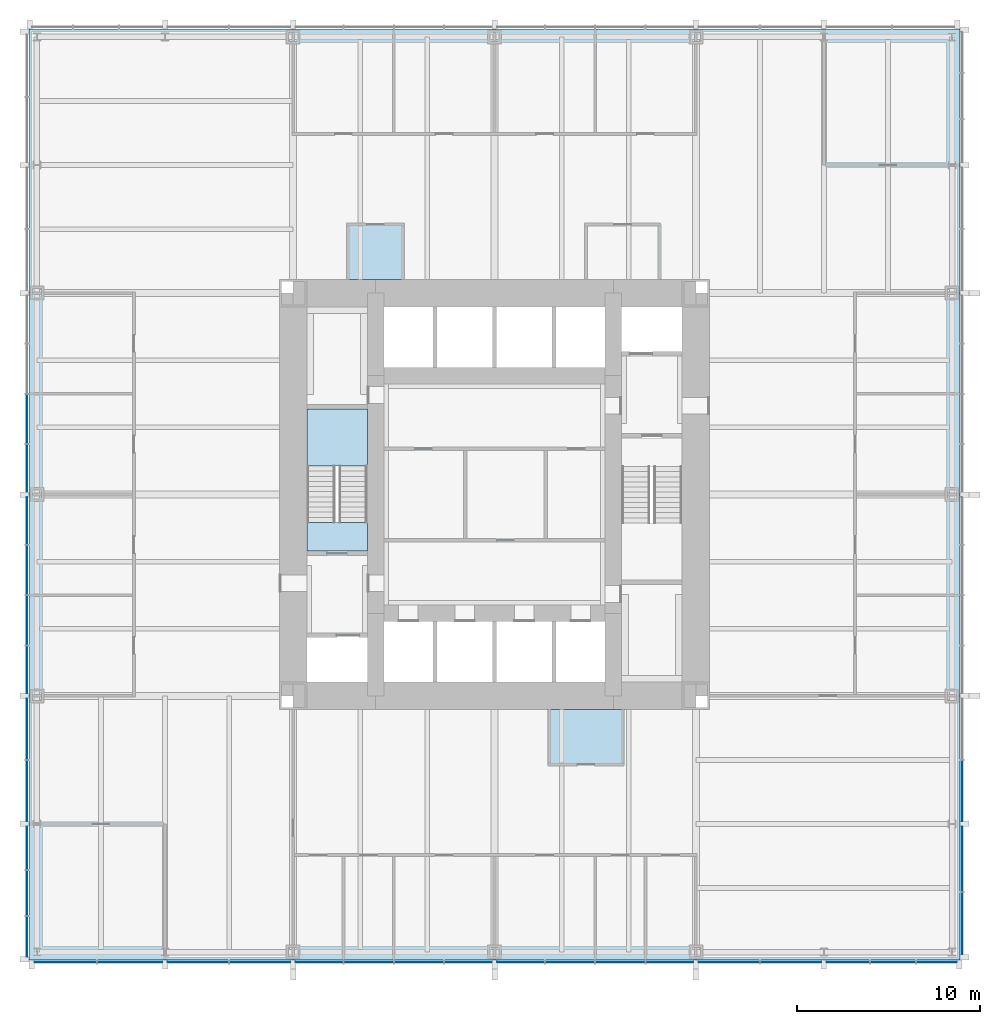
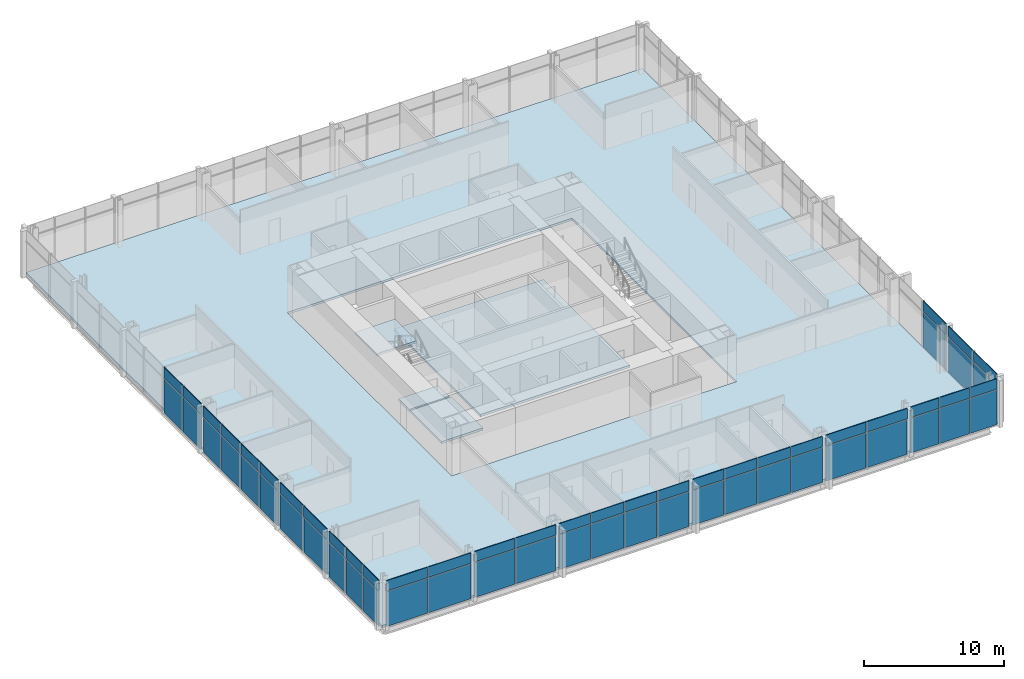
# One storey, part 7 of 12: 62 plates, 5 slabs, 4 elements without a shape of their own.
"""IFC4 building model written with IfcOpenShell, lengths in metres."""

from ifc_helpers import new_model, si_unit, direction, frame, origin, origin_2d, place, context, subcontext, project, spatial, polyline, rectangle, outline, extrude, material, layer, layer_set, type_object, element, aggregate, save


model = new_model("IFC4")

# Units and contexts
model_context = context("Model", 3, precision=1e-05, world=origin(), true_north=direction((0.0, 1.0)))
body_context = subcontext(model_context, "Body", "Model", "MODEL_VIEW")
ifc_project = project(units=[si_unit("LENGTHUNIT", "METRE"), si_unit("AREAUNIT", "SQUARE_METRE"), si_unit("VOLUMEUNIT", "CUBIC_METRE"), si_unit("PLANEANGLEUNIT", "RADIAN"), si_unit("MASSUNIT", "GRAM", prefix="KILO")], contexts=[model_context])

# Site, building, storey
site_placement = place(None, origin())
site = spatial("IfcSite", under=ifc_project, at=site_placement, CompositionType="ELEMENT")
building_placement = place(site_placement, origin())
building = spatial("IfcBuilding", under=site, at=building_placement, Name="Trevanion Tower", CompositionType="ELEMENT")
storey_placement = place(building_placement, frame((0.0, 0.0, 77.5)))
storey = spatial("IfcBuildingStorey", under=building, at=storey_placement, Name="L18", CompositionType="ELEMENT", Elevation=77.5)

# Curtain wall, plates
ifc_material_1 = material(Name="Aluminium and glass", Category="aluminium")
curtain_wall_type = type_object("IfcCurtainWallType", Name="CW1 curtain wall", PredefinedType="USERDEFINED", material=ifc_material_1)
curtain_wall_1_placement = place(storey_placement, origin())
curtain_wall_1 = element("IfcCurtainWall", 1, at=curtain_wall_1_placement, inside=storey, type_object=curtain_wall_type, Name="CW1 L18 0", ObjectType="UNITISED CURTAIN WALL", PredefinedType="USERDEFINED")
ifc_material_2 = material(Name="Aluminium spandrel panel", Category="aluminium")
ifc_layer_1 = layer(ifc_material_2, 0.06005859375)
ifc_layer_set_1 = layer_set([ifc_layer_1], Name="CW1 spandrel panel")
plate_type_1 = type_object("IfcPlateType", Name="CW1 spandrel panel", PredefinedType="CURTAIN_PANEL", material=ifc_layer_set_1)
plate_1_placement = place(storey_placement, frame((25.550048828125, -23.433837890625, 2.997314453125), z_axis=(0.0, 0.0, 1.0), x_axis=(0.0, 1.0, 0.0)))
plate_1 = element("IfcPlate", 2, at=plate_1_placement, type_object=plate_type_1, Name="CW1 panel 1.2", PredefinedType="CURTAIN_PANEL", context=body_context, shape_type="SweptSolid", body=[
    extrude(rectangle(XDim=3.37255859375, YDim=0.06005859375, at=origin_2d()), origin(), (0.0, 0.0, 1.0), 0.91259765625),
])
plate_2_placement = place(storey_placement, frame((25.550048828125, -19.911376953125, 2.997314453125), z_axis=(0.0, 0.0, 1.0), x_axis=(0.0, 1.0, 0.0)))
plate_2 = element("IfcPlate", 3, at=plate_2_placement, type_object=plate_type_1, Name="CW1 panel 2.2", PredefinedType="CURTAIN_PANEL", context=body_context, shape_type="SweptSolid", body=[
    extrude(rectangle(XDim=3.5224609375, YDim=0.06005859375, at=origin_2d()), origin(), (0.0, 0.0, 1.0), 0.91259765625),
])
plate_3_placement = place(storey_placement, frame((25.550048828125, -16.19384765625, 2.997314453125), z_axis=(0.0, 0.0, 1.0), x_axis=(0.0, 1.0, 0.0)))
plate_3 = element("IfcPlate", 4, at=plate_3_placement, type_object=plate_type_1, Name="CW1 panel 3.2", PredefinedType="CURTAIN_PANEL", context=body_context, shape_type="SweptSolid", body=[
    extrude(rectangle(XDim=3.3125, YDim=0.06005859375, at=origin_2d()), origin(), (0.0, 0.0, 1.0), 0.91259765625),
])

curtain_wall_2_placement = place(storey_placement, origin())
curtain_wall_2 = element("IfcCurtainWall", 5, at=curtain_wall_2_placement, inside=storey, type_object=curtain_wall_type, Name="CW1 L18 2", ObjectType="UNITISED CURTAIN WALL", PredefinedType="USERDEFINED")
plate_4_placement = place(storey_placement, frame((-25.550048828125, 4.125, 2.997314453125), z_axis=(0.0, 0.0, 1.0), x_axis=(0.0, -1.0, 0.0)))
plate_4 = element("IfcPlate", 6, at=plate_4_placement, type_object=plate_type_1, Name="CW1 panel 7.2", PredefinedType="CURTAIN_PANEL", context=body_context, shape_type="SweptSolid", body=[
    extrude(rectangle(XDim=2.675048828125, YDim=0.06005859375, at=origin_2d()), origin(), (0.0, 0.0, 1.0), 0.91259765625),
])
plate_5_placement = place(storey_placement, frame((-25.550048828125, 1.43115234375, 2.997314453125), z_axis=(0.0, 0.0, 1.0), x_axis=(0.0, -1.0, 0.0)))
plate_5 = element("IfcPlate", 7, at=plate_5_placement, type_object=plate_type_1, Name="CW1 panel 8.2", PredefinedType="CURTAIN_PANEL", context=body_context, shape_type="SweptSolid", body=[
    extrude(rectangle(XDim=2.5625, YDim=0.06005859375, at=origin_2d()), origin(), (0.0, 0.0, 1.0), 0.91259765625),
])
plate_6_placement = place(storey_placement, frame((-25.550048828125, -1.43115234375, 2.997314453125), z_axis=(0.0, 0.0, 1.0), x_axis=(0.0, -1.0, 0.0)))
plate_6 = element("IfcPlate", 8, at=plate_6_placement, type_object=plate_type_1, Name="CW1 panel 9.2", PredefinedType="CURTAIN_PANEL", context=body_context, shape_type="SweptSolid", body=[
    extrude(rectangle(XDim=2.5625, YDim=0.06005859375, at=origin_2d()), origin(), (0.0, 0.0, 1.0), 0.91259765625),
])
plate_7_placement = place(storey_placement, frame((-25.550048828125, -4.125, 2.997314453125), z_axis=(0.0, 0.0, 1.0), x_axis=(0.0, -1.0, 0.0)))
plate_7 = element("IfcPlate", 9, at=plate_7_placement, type_object=plate_type_1, Name="CW1 panel 10.2", PredefinedType="CURTAIN_PANEL", context=body_context, shape_type="SweptSolid", body=[
    extrude(rectangle(XDim=2.675048828125, YDim=0.06005859375, at=origin_2d()), origin(), (0.0, 0.0, 1.0), 0.91259765625),
])
plate_8_placement = place(storey_placement, frame((-25.550048828125, -6.875, 2.997314453125), z_axis=(0.0, 0.0, 1.0), x_axis=(0.0, -1.0, 0.0)))
plate_8 = element("IfcPlate", 10, at=plate_8_placement, type_object=plate_type_1, Name="CW1 panel 11.2", PredefinedType="CURTAIN_PANEL", context=body_context, shape_type="SweptSolid", body=[
    extrude(rectangle(XDim=2.675048828125, YDim=0.06005859375, at=origin_2d()), origin(), (0.0, 0.0, 1.0), 0.91259765625),
])
plate_9_placement = place(storey_placement, frame((-25.550048828125, -9.56884765625, 2.997314453125), z_axis=(0.0, 0.0, 1.0), x_axis=(0.0, -1.0, 0.0)))
plate_9 = element("IfcPlate", 11, at=plate_9_placement, type_object=plate_type_1, Name="CW1 panel 12.2", PredefinedType="CURTAIN_PANEL", context=body_context, shape_type="SweptSolid", body=[
    extrude(rectangle(XDim=2.5625, YDim=0.06005859375, at=origin_2d()), origin(), (0.0, 0.0, 1.0), 0.91259765625),
])
plate_10_placement = place(storey_placement, frame((-25.550048828125, -12.80615234375, 2.997314453125), z_axis=(0.0, 0.0, 1.0), x_axis=(0.0, -1.0, 0.0)))
plate_10 = element("IfcPlate", 12, at=plate_10_placement, type_object=plate_type_1, Name="CW1 panel 13.2", PredefinedType="CURTAIN_PANEL", context=body_context, shape_type="SweptSolid", body=[
    extrude(rectangle(XDim=3.3125, YDim=0.06005859375, at=origin_2d()), origin(), (0.0, 0.0, 1.0), 0.91259765625),
])
plate_11_placement = place(storey_placement, frame((-25.550048828125, -16.19384765625, 2.997314453125), z_axis=(0.0, 0.0, 1.0), x_axis=(0.0, -1.0, 0.0)))
plate_11 = element("IfcPlate", 13, at=plate_11_placement, type_object=plate_type_1, Name="CW1 panel 14.2", PredefinedType="CURTAIN_PANEL", context=body_context, shape_type="SweptSolid", body=[
    extrude(rectangle(XDim=3.3125, YDim=0.06005859375, at=origin_2d()), origin(), (0.0, 0.0, 1.0), 0.91259765625),
])
plate_12_placement = place(storey_placement, frame((-25.550048828125, -19.314697265625, 2.997314453125), z_axis=(0.0, 0.0, 1.0), x_axis=(0.0, -1.0, 0.0)))
plate_12 = element("IfcPlate", 14, at=plate_12_placement, type_object=plate_type_1, Name="CW1 panel 15.2", PredefinedType="CURTAIN_PANEL", context=body_context, shape_type="SweptSolid", body=[
    extrude(rectangle(XDim=2.3291015625, YDim=0.06005859375, at=origin_2d()), origin(), (0.0, 0.0, 1.0), 0.91259765625),
])
plate_13_placement = place(storey_placement, frame((-25.550048828125, -21.77490234375, 2.997314453125), z_axis=(0.0, 0.0, 1.0), x_axis=(0.0, -1.0, 0.0)))
plate_13 = element("IfcPlate", 15, at=plate_13_placement, type_object=plate_type_1, Name="CW1 panel 16.2", PredefinedType="CURTAIN_PANEL", context=body_context, shape_type="SweptSolid", body=[
    extrude(rectangle(XDim=2.441650390625, YDim=0.06005859375, at=origin_2d()), origin(), (0.0, 0.0, 1.0), 0.91259765625),
])
plate_14_placement = place(storey_placement, frame((-25.550048828125, -24.160400390625, 2.997314453125), z_axis=(0.0, 0.0, 1.0), x_axis=(0.0, -1.0, 0.0)))
plate_14 = element("IfcPlate", 16, at=plate_14_placement, type_object=plate_type_1, Name="CW1 panel 17.2", PredefinedType="CURTAIN_PANEL", context=body_context, shape_type="SweptSolid", body=[
    extrude(rectangle(XDim=2.17919921875, YDim=0.06005859375, at=origin_2d()), origin(), (0.0, 0.0, 1.0), 0.91259765625),
])

curtain_wall_3_placement = place(storey_placement, origin())
curtain_wall_3 = element("IfcCurtainWall", 17, at=curtain_wall_3_placement, inside=storey, type_object=curtain_wall_type, Name="CW1 L18 3", ObjectType="UNITISED CURTAIN WALL", PredefinedType="USERDEFINED")
plate_15_placement = place(storey_placement, frame((-23.433837890625, -25.550048828125, 2.997314453125), z_axis=(0.0, 0.0, 1.0), x_axis=(1.0, 0.0, 0.0)))
plate_15 = element("IfcPlate", 18, at=plate_15_placement, type_object=plate_type_1, Name="CW1 panel 1.2", PredefinedType="CURTAIN_PANEL", context=body_context, shape_type="SweptSolid", body=[
    extrude(rectangle(XDim=3.37255859375, YDim=0.06005859375, at=origin_2d()), origin(), (0.0, 0.0, 1.0), 0.91259765625),
])
plate_16_placement = place(storey_placement, frame((-19.911376953125, -25.550048828125, 2.997314453125), z_axis=(0.0, 0.0, 1.0), x_axis=(1.0, 0.0, 0.0)))
plate_16 = element("IfcPlate", 19, at=plate_16_placement, type_object=plate_type_1, Name="CW1 panel 2.2", PredefinedType="CURTAIN_PANEL", context=body_context, shape_type="SweptSolid", body=[
    extrude(rectangle(XDim=3.5224609375, YDim=0.06005859375, at=origin_2d()), origin(), (0.0, 0.0, 1.0), 0.91259765625),
])
plate_17_placement = place(storey_placement, frame((-16.19384765625, -25.550048828125, 2.997314453125), z_axis=(0.0, 0.0, 1.0), x_axis=(1.0, 0.0, 0.0)))
plate_17 = element("IfcPlate", 20, at=plate_17_placement, type_object=plate_type_1, Name="CW1 panel 3.2", PredefinedType="CURTAIN_PANEL", context=body_context, shape_type="SweptSolid", body=[
    extrude(rectangle(XDim=3.3125, YDim=0.06005859375, at=origin_2d()), origin(), (0.0, 0.0, 1.0), 0.91259765625),
])
plate_18_placement = place(storey_placement, frame((-12.806396484375, -25.550048828125, 2.997314453125), z_axis=(0.0, 0.0, 1.0), x_axis=(1.0, 0.0, 0.0)))
plate_18 = element("IfcPlate", 21, at=plate_18_placement, type_object=plate_type_1, Name="CW1 panel 4.2", PredefinedType="CURTAIN_PANEL", context=body_context, shape_type="SweptSolid", body=[
    extrude(rectangle(XDim=3.3125, YDim=0.06005859375, at=origin_2d()), origin(), (0.0, 0.0, 1.0), 0.91259765625),
])
plate_19_placement = place(storey_placement, frame((-9.56884765625, -25.550048828125, 2.997314453125), z_axis=(0.0, 0.0, 1.0), x_axis=(1.0, 0.0, 0.0)))
plate_19 = element("IfcPlate", 22, at=plate_19_placement, type_object=plate_type_1, Name="CW1 panel 5.2", PredefinedType="CURTAIN_PANEL", context=body_context, shape_type="SweptSolid", body=[
    extrude(rectangle(XDim=2.5625, YDim=0.06005859375, at=origin_2d()), origin(), (0.0, 0.0, 1.0), 0.91259765625),
])
plate_20_placement = place(storey_placement, frame((-6.875, -25.550048828125, 2.997314453125), z_axis=(0.0, 0.0, 1.0), x_axis=(1.0, 0.0, 0.0)))
plate_20 = element("IfcPlate", 23, at=plate_20_placement, type_object=plate_type_1, Name="CW1 panel 6.2", PredefinedType="CURTAIN_PANEL", context=body_context, shape_type="SweptSolid", body=[
    extrude(rectangle(XDim=2.675048828125, YDim=0.06005859375, at=origin_2d()), origin(), (0.0, 0.0, 1.0), 0.91259765625),
])
plate_21_placement = place(storey_placement, frame((-4.125, -25.550048828125, 2.997314453125), z_axis=(0.0, 0.0, 1.0), x_axis=(1.0, 0.0, 0.0)))
plate_21 = element("IfcPlate", 24, at=plate_21_placement, type_object=plate_type_1, Name="CW1 panel 7.2", PredefinedType="CURTAIN_PANEL", context=body_context, shape_type="SweptSolid", body=[
    extrude(rectangle(XDim=2.675048828125, YDim=0.06005859375, at=origin_2d()), origin(), (0.0, 0.0, 1.0), 0.91259765625),
])
plate_22_placement = place(storey_placement, frame((-1.43115234375, -25.550048828125, 2.997314453125), z_axis=(0.0, 0.0, 1.0), x_axis=(1.0, 0.0, 0.0)))
plate_22 = element("IfcPlate", 25, at=plate_22_placement, type_object=plate_type_1, Name="CW1 panel 8.2", PredefinedType="CURTAIN_PANEL", context=body_context, shape_type="SweptSolid", body=[
    extrude(rectangle(XDim=2.5625, YDim=0.06005859375, at=origin_2d()), origin(), (0.0, 0.0, 1.0), 0.91259765625),
])
plate_23_placement = place(storey_placement, frame((1.43115234375, -25.550048828125, 2.997314453125), z_axis=(0.0, 0.0, 1.0), x_axis=(1.0, 0.0, 0.0)))
plate_23 = element("IfcPlate", 26, at=plate_23_placement, type_object=plate_type_1, Name="CW1 panel 9.2", PredefinedType="CURTAIN_PANEL", context=body_context, shape_type="SweptSolid", body=[
    extrude(rectangle(XDim=2.5625, YDim=0.06005859375, at=origin_2d()), origin(), (0.0, 0.0, 1.0), 0.91259765625),
])
plate_24_placement = place(storey_placement, frame((4.125, -25.550048828125, 2.997314453125), z_axis=(0.0, 0.0, 1.0), x_axis=(1.0, 0.0, 0.0)))
plate_24 = element("IfcPlate", 27, at=plate_24_placement, type_object=plate_type_1, Name="CW1 panel 10.2", PredefinedType="CURTAIN_PANEL", context=body_context, shape_type="SweptSolid", body=[
    extrude(rectangle(XDim=2.675048828125, YDim=0.06005859375, at=origin_2d()), origin(), (0.0, 0.0, 1.0), 0.91259765625),
])
plate_25_placement = place(storey_placement, frame((6.875, -25.550048828125, 2.997314453125), z_axis=(0.0, 0.0, 1.0), x_axis=(1.0, 0.0, 0.0)))
plate_25 = element("IfcPlate", 28, at=plate_25_placement, type_object=plate_type_1, Name="CW1 panel 11.2", PredefinedType="CURTAIN_PANEL", context=body_context, shape_type="SweptSolid", body=[
    extrude(rectangle(XDim=2.675048828125, YDim=0.06005859375, at=origin_2d()), origin(), (0.0, 0.0, 1.0), 0.91259765625),
])
plate_26_placement = place(storey_placement, frame((9.56884765625, -25.550048828125, 2.997314453125), z_axis=(0.0, 0.0, 1.0), x_axis=(1.0, 0.0, 0.0)))
plate_26 = element("IfcPlate", 29, at=plate_26_placement, type_object=plate_type_1, Name="CW1 panel 12.2", PredefinedType="CURTAIN_PANEL", context=body_context, shape_type="SweptSolid", body=[
    extrude(rectangle(XDim=2.5625, YDim=0.06005859375, at=origin_2d()), origin(), (0.0, 0.0, 1.0), 0.91259765625),
])
plate_27_placement = place(storey_placement, frame((12.80615234375, -25.550048828125, 2.997314453125), z_axis=(0.0, 0.0, 1.0), x_axis=(1.0, 0.0, 0.0)))
plate_27 = element("IfcPlate", 30, at=plate_27_placement, type_object=plate_type_1, Name="CW1 panel 13.2", PredefinedType="CURTAIN_PANEL", context=body_context, shape_type="SweptSolid", body=[
    extrude(rectangle(XDim=3.3125, YDim=0.06005859375, at=origin_2d()), origin(), (0.0, 0.0, 1.0), 0.91259765625),
])
plate_28_placement = place(storey_placement, frame((16.19384765625, -25.550048828125, 2.997314453125), z_axis=(0.0, 0.0, 1.0), x_axis=(1.0, 0.0, 0.0)))
plate_28 = element("IfcPlate", 31, at=plate_28_placement, type_object=plate_type_1, Name="CW1 panel 14.2", PredefinedType="CURTAIN_PANEL", context=body_context, shape_type="SweptSolid", body=[
    extrude(rectangle(XDim=3.3125, YDim=0.06005859375, at=origin_2d()), origin(), (0.0, 0.0, 1.0), 0.91259765625),
])
plate_29_placement = place(storey_placement, frame((19.314697265625, -25.550048828125, 2.997314453125), z_axis=(0.0, 0.0, 1.0), x_axis=(1.0, 0.0, 0.0)))
plate_29 = element("IfcPlate", 32, at=plate_29_placement, type_object=plate_type_1, Name="CW1 panel 15.2", PredefinedType="CURTAIN_PANEL", context=body_context, shape_type="SweptSolid", body=[
    extrude(rectangle(XDim=2.3291015625, YDim=0.06005859375, at=origin_2d()), origin(), (0.0, 0.0, 1.0), 0.91259765625),
])
plate_30_placement = place(storey_placement, frame((21.77490234375, -25.550048828125, 2.997314453125), z_axis=(0.0, 0.0, 1.0), x_axis=(1.0, 0.0, 0.0)))
plate_30 = element("IfcPlate", 33, at=plate_30_placement, type_object=plate_type_1, Name="CW1 panel 16.2", PredefinedType="CURTAIN_PANEL", context=body_context, shape_type="SweptSolid", body=[
    extrude(rectangle(XDim=2.441650390625, YDim=0.06005859375, at=origin_2d()), origin(), (0.0, 0.0, 1.0), 0.91259765625),
])
plate_31_placement = place(storey_placement, frame((24.160400390625, -25.550048828125, 2.997314453125), z_axis=(0.0, 0.0, 1.0), x_axis=(1.0, 0.0, 0.0)))
plate_31 = element("IfcPlate", 34, at=plate_31_placement, type_object=plate_type_1, Name="CW1 panel 17.2", PredefinedType="CURTAIN_PANEL", context=body_context, shape_type="SweptSolid", body=[
    extrude(rectangle(XDim=2.17919921875, YDim=0.06005859375, at=origin_2d()), origin(), (0.0, 0.0, 1.0), 0.91259765625),
])

# Plate
ifc_material_3 = material(Name="Insulating glass unit", Category="glass")
ifc_layer_2 = layer(ifc_material_3, 0.028076171875)
ifc_layer_set_2 = layer_set([ifc_layer_2], Name="CW1 vision panel")
plate_type_2 = type_object("IfcPlateType", Name="CW1 vision panel", PredefinedType="CURTAIN_PANEL", material=ifc_layer_set_2)
plate_32_placement = place(storey_placement, frame((25.550048828125, -23.433837890625, -0.114990234375), z_axis=(0.0, 0.0, 1.0), x_axis=(0.0, 1.0, 0.0)))
plate_32 = element("IfcPlate", 35, at=plate_32_placement, type_object=plate_type_2, Name="CW1 panel 1.1", PredefinedType="CURTAIN_PANEL", context=body_context, shape_type="SweptSolid", body=[
    extrude(rectangle(XDim=3.37255859375, YDim=0.028076171875, at=origin_2d()), origin(), (0.0, 0.0, 1.0), 3.03759765625),
])

plate_33_placement = place(storey_placement, frame((25.550048828125, -19.911376953125, -0.114990234375), z_axis=(0.0, 0.0, 1.0), x_axis=(0.0, 1.0, 0.0)))
plate_33 = element("IfcPlate", 36, at=plate_33_placement, type_object=plate_type_2, Name="CW1 panel 2.1", PredefinedType="CURTAIN_PANEL", context=body_context, shape_type="SweptSolid", body=[
    extrude(rectangle(XDim=3.5224609375, YDim=0.028076171875, at=origin_2d()), origin(), (0.0, 0.0, 1.0), 3.03759765625),
])

plate_34_placement = place(storey_placement, frame((25.550048828125, -16.19384765625, -0.114990234375), z_axis=(0.0, 0.0, 1.0), x_axis=(0.0, 1.0, 0.0)))
plate_34 = element("IfcPlate", 37, at=plate_34_placement, type_object=plate_type_2, Name="CW1 panel 3.1", PredefinedType="CURTAIN_PANEL", context=body_context, shape_type="SweptSolid", body=[
    extrude(rectangle(XDim=3.3125, YDim=0.028076171875, at=origin_2d()), origin(), (0.0, 0.0, 1.0), 3.03759765625),
])

aggregate(curtain_wall_1, [plate_32, plate_1, plate_33, plate_2, plate_34, plate_3])

plate_35_placement = place(storey_placement, frame((-25.550048828125, 4.125, -0.114990234375), z_axis=(0.0, 0.0, 1.0), x_axis=(0.0, -1.0, 0.0)))
plate_35 = element("IfcPlate", 38, at=plate_35_placement, type_object=plate_type_2, Name="CW1 panel 7.1", PredefinedType="CURTAIN_PANEL", context=body_context, shape_type="SweptSolid", body=[
    extrude(rectangle(XDim=2.675048828125, YDim=0.028076171875, at=origin_2d()), origin(), (0.0, 0.0, 1.0), 3.03759765625),
])

plate_36_placement = place(storey_placement, frame((-25.550048828125, 1.43115234375, -0.114990234375), z_axis=(0.0, 0.0, 1.0), x_axis=(0.0, -1.0, 0.0)))
plate_36 = element("IfcPlate", 39, at=plate_36_placement, type_object=plate_type_2, Name="CW1 panel 8.1", PredefinedType="CURTAIN_PANEL", context=body_context, shape_type="SweptSolid", body=[
    extrude(rectangle(XDim=2.5625, YDim=0.028076171875, at=origin_2d()), origin(), (0.0, 0.0, 1.0), 3.03759765625),
])

plate_37_placement = place(storey_placement, frame((-25.550048828125, -1.43115234375, -0.114990234375), z_axis=(0.0, 0.0, 1.0), x_axis=(0.0, -1.0, 0.0)))
plate_37 = element("IfcPlate", 40, at=plate_37_placement, type_object=plate_type_2, Name="CW1 panel 9.1", PredefinedType="CURTAIN_PANEL", context=body_context, shape_type="SweptSolid", body=[
    extrude(rectangle(XDim=2.5625, YDim=0.028076171875, at=origin_2d()), origin(), (0.0, 0.0, 1.0), 3.03759765625),
])

plate_38_placement = place(storey_placement, frame((-25.550048828125, -4.125, -0.114990234375), z_axis=(0.0, 0.0, 1.0), x_axis=(0.0, -1.0, 0.0)))
plate_38 = element("IfcPlate", 41, at=plate_38_placement, type_object=plate_type_2, Name="CW1 panel 10.1", PredefinedType="CURTAIN_PANEL", context=body_context, shape_type="SweptSolid", body=[
    extrude(rectangle(XDim=2.675048828125, YDim=0.028076171875, at=origin_2d()), origin(), (0.0, 0.0, 1.0), 3.03759765625),
])

plate_39_placement = place(storey_placement, frame((-25.550048828125, -6.875, -0.114990234375), z_axis=(0.0, 0.0, 1.0), x_axis=(0.0, -1.0, 0.0)))
plate_39 = element("IfcPlate", 42, at=plate_39_placement, type_object=plate_type_2, Name="CW1 panel 11.1", PredefinedType="CURTAIN_PANEL", context=body_context, shape_type="SweptSolid", body=[
    extrude(rectangle(XDim=2.675048828125, YDim=0.028076171875, at=origin_2d()), origin(), (0.0, 0.0, 1.0), 3.03759765625),
])

plate_40_placement = place(storey_placement, frame((-25.550048828125, -9.56884765625, -0.114990234375), z_axis=(0.0, 0.0, 1.0), x_axis=(0.0, -1.0, 0.0)))
plate_40 = element("IfcPlate", 43, at=plate_40_placement, type_object=plate_type_2, Name="CW1 panel 12.1", PredefinedType="CURTAIN_PANEL", context=body_context, shape_type="SweptSolid", body=[
    extrude(rectangle(XDim=2.5625, YDim=0.028076171875, at=origin_2d()), origin(), (0.0, 0.0, 1.0), 3.03759765625),
])

plate_41_placement = place(storey_placement, frame((-25.550048828125, -12.80615234375, -0.114990234375), z_axis=(0.0, 0.0, 1.0), x_axis=(0.0, -1.0, 0.0)))
plate_41 = element("IfcPlate", 44, at=plate_41_placement, type_object=plate_type_2, Name="CW1 panel 13.1", PredefinedType="CURTAIN_PANEL", context=body_context, shape_type="SweptSolid", body=[
    extrude(rectangle(XDim=3.3125, YDim=0.028076171875, at=origin_2d()), origin(), (0.0, 0.0, 1.0), 3.03759765625),
])

plate_42_placement = place(storey_placement, frame((-25.550048828125, -16.19384765625, -0.114990234375), z_axis=(0.0, 0.0, 1.0), x_axis=(0.0, -1.0, 0.0)))
plate_42 = element("IfcPlate", 45, at=plate_42_placement, type_object=plate_type_2, Name="CW1 panel 14.1", PredefinedType="CURTAIN_PANEL", context=body_context, shape_type="SweptSolid", body=[
    extrude(rectangle(XDim=3.3125, YDim=0.028076171875, at=origin_2d()), origin(), (0.0, 0.0, 1.0), 3.03759765625),
])

plate_43_placement = place(storey_placement, frame((-25.550048828125, -19.314697265625, -0.114990234375), z_axis=(0.0, 0.0, 1.0), x_axis=(0.0, -1.0, 0.0)))
plate_43 = element("IfcPlate", 46, at=plate_43_placement, type_object=plate_type_2, Name="CW1 panel 15.1", PredefinedType="CURTAIN_PANEL", context=body_context, shape_type="SweptSolid", body=[
    extrude(rectangle(XDim=2.3291015625, YDim=0.028076171875, at=origin_2d()), origin(), (0.0, 0.0, 1.0), 3.03759765625),
])

plate_44_placement = place(storey_placement, frame((-25.550048828125, -21.77490234375, -0.114990234375), z_axis=(0.0, 0.0, 1.0), x_axis=(0.0, -1.0, 0.0)))
plate_44 = element("IfcPlate", 47, at=plate_44_placement, type_object=plate_type_2, Name="CW1 panel 16.1", PredefinedType="CURTAIN_PANEL", context=body_context, shape_type="SweptSolid", body=[
    extrude(rectangle(XDim=2.441650390625, YDim=0.028076171875, at=origin_2d()), origin(), (0.0, 0.0, 1.0), 3.03759765625),
])

plate_45_placement = place(storey_placement, frame((-25.550048828125, -24.160400390625, -0.114990234375), z_axis=(0.0, 0.0, 1.0), x_axis=(0.0, -1.0, 0.0)))
plate_45 = element("IfcPlate", 48, at=plate_45_placement, type_object=plate_type_2, Name="CW1 panel 17.1", PredefinedType="CURTAIN_PANEL", context=body_context, shape_type="SweptSolid", body=[
    extrude(rectangle(XDim=2.17919921875, YDim=0.028076171875, at=origin_2d()), origin(), (0.0, 0.0, 1.0), 3.03759765625),
])

aggregate(curtain_wall_2, [plate_35, plate_4, plate_36, plate_5, plate_37, plate_6, plate_38, plate_7, plate_39, plate_8, plate_40, plate_9, plate_41, plate_10, plate_42, plate_11, plate_43, plate_12, plate_44, plate_13, plate_45, plate_14])

plate_46_placement = place(storey_placement, frame((-23.433837890625, -25.550048828125, -0.114990234375), z_axis=(0.0, 0.0, 1.0), x_axis=(1.0, 0.0, 0.0)))
plate_46 = element("IfcPlate", 49, at=plate_46_placement, type_object=plate_type_2, Name="CW1 panel 1.1", PredefinedType="CURTAIN_PANEL", context=body_context, shape_type="SweptSolid", body=[
    extrude(rectangle(XDim=3.37255859375, YDim=0.028076171875, at=origin_2d()), origin(), (0.0, 0.0, 1.0), 3.03759765625),
])

plate_47_placement = place(storey_placement, frame((-19.911376953125, -25.550048828125, -0.114990234375), z_axis=(0.0, 0.0, 1.0), x_axis=(1.0, 0.0, 0.0)))
plate_47 = element("IfcPlate", 50, at=plate_47_placement, type_object=plate_type_2, Name="CW1 panel 2.1", PredefinedType="CURTAIN_PANEL", context=body_context, shape_type="SweptSolid", body=[
    extrude(rectangle(XDim=3.5224609375, YDim=0.028076171875, at=origin_2d()), origin(), (0.0, 0.0, 1.0), 3.03759765625),
])

plate_48_placement = place(storey_placement, frame((-16.19384765625, -25.550048828125, -0.114990234375), z_axis=(0.0, 0.0, 1.0), x_axis=(1.0, 0.0, 0.0)))
plate_48 = element("IfcPlate", 51, at=plate_48_placement, type_object=plate_type_2, Name="CW1 panel 3.1", PredefinedType="CURTAIN_PANEL", context=body_context, shape_type="SweptSolid", body=[
    extrude(rectangle(XDim=3.3125, YDim=0.028076171875, at=origin_2d()), origin(), (0.0, 0.0, 1.0), 3.03759765625),
])

plate_49_placement = place(storey_placement, frame((-12.806396484375, -25.550048828125, -0.114990234375), z_axis=(0.0, 0.0, 1.0), x_axis=(1.0, 0.0, 0.0)))
plate_49 = element("IfcPlate", 52, at=plate_49_placement, type_object=plate_type_2, Name="CW1 panel 4.1", PredefinedType="CURTAIN_PANEL", context=body_context, shape_type="SweptSolid", body=[
    extrude(rectangle(XDim=3.3125, YDim=0.028076171875, at=origin_2d()), origin(), (0.0, 0.0, 1.0), 3.03759765625),
])

plate_50_placement = place(storey_placement, frame((-9.56884765625, -25.550048828125, -0.114990234375), z_axis=(0.0, 0.0, 1.0), x_axis=(1.0, 0.0, 0.0)))
plate_50 = element("IfcPlate", 53, at=plate_50_placement, type_object=plate_type_2, Name="CW1 panel 5.1", PredefinedType="CURTAIN_PANEL", context=body_context, shape_type="SweptSolid", body=[
    extrude(rectangle(XDim=2.5625, YDim=0.028076171875, at=origin_2d()), origin(), (0.0, 0.0, 1.0), 3.03759765625),
])

plate_51_placement = place(storey_placement, frame((-6.875, -25.550048828125, -0.114990234375), z_axis=(0.0, 0.0, 1.0), x_axis=(1.0, 0.0, 0.0)))
plate_51 = element("IfcPlate", 54, at=plate_51_placement, type_object=plate_type_2, Name="CW1 panel 6.1", PredefinedType="CURTAIN_PANEL", context=body_context, shape_type="SweptSolid", body=[
    extrude(rectangle(XDim=2.675048828125, YDim=0.028076171875, at=origin_2d()), origin(), (0.0, 0.0, 1.0), 3.03759765625),
])

plate_52_placement = place(storey_placement, frame((-4.125, -25.550048828125, -0.114990234375), z_axis=(0.0, 0.0, 1.0), x_axis=(1.0, 0.0, 0.0)))
plate_52 = element("IfcPlate", 55, at=plate_52_placement, type_object=plate_type_2, Name="CW1 panel 7.1", PredefinedType="CURTAIN_PANEL", context=body_context, shape_type="SweptSolid", body=[
    extrude(rectangle(XDim=2.675048828125, YDim=0.028076171875, at=origin_2d()), origin(), (0.0, 0.0, 1.0), 3.03759765625),
])

plate_53_placement = place(storey_placement, frame((-1.43115234375, -25.550048828125, -0.114990234375), z_axis=(0.0, 0.0, 1.0), x_axis=(1.0, 0.0, 0.0)))
plate_53 = element("IfcPlate", 56, at=plate_53_placement, type_object=plate_type_2, Name="CW1 panel 8.1", PredefinedType="CURTAIN_PANEL", context=body_context, shape_type="SweptSolid", body=[
    extrude(rectangle(XDim=2.5625, YDim=0.028076171875, at=origin_2d()), origin(), (0.0, 0.0, 1.0), 3.03759765625),
])

plate_54_placement = place(storey_placement, frame((1.43115234375, -25.550048828125, -0.114990234375), z_axis=(0.0, 0.0, 1.0), x_axis=(1.0, 0.0, 0.0)))
plate_54 = element("IfcPlate", 57, at=plate_54_placement, type_object=plate_type_2, Name="CW1 panel 9.1", PredefinedType="CURTAIN_PANEL", context=body_context, shape_type="SweptSolid", body=[
    extrude(rectangle(XDim=2.5625, YDim=0.028076171875, at=origin_2d()), origin(), (0.0, 0.0, 1.0), 3.03759765625),
])

plate_55_placement = place(storey_placement, frame((4.125, -25.550048828125, -0.114990234375), z_axis=(0.0, 0.0, 1.0), x_axis=(1.0, 0.0, 0.0)))
plate_55 = element("IfcPlate", 58, at=plate_55_placement, type_object=plate_type_2, Name="CW1 panel 10.1", PredefinedType="CURTAIN_PANEL", context=body_context, shape_type="SweptSolid", body=[
    extrude(rectangle(XDim=2.675048828125, YDim=0.028076171875, at=origin_2d()), origin(), (0.0, 0.0, 1.0), 3.03759765625),
])

plate_56_placement = place(storey_placement, frame((6.875, -25.550048828125, -0.114990234375), z_axis=(0.0, 0.0, 1.0), x_axis=(1.0, 0.0, 0.0)))
plate_56 = element("IfcPlate", 59, at=plate_56_placement, type_object=plate_type_2, Name="CW1 panel 11.1", PredefinedType="CURTAIN_PANEL", context=body_context, shape_type="SweptSolid", body=[
    extrude(rectangle(XDim=2.675048828125, YDim=0.028076171875, at=origin_2d()), origin(), (0.0, 0.0, 1.0), 3.03759765625),
])

plate_57_placement = place(storey_placement, frame((9.56884765625, -25.550048828125, -0.114990234375), z_axis=(0.0, 0.0, 1.0), x_axis=(1.0, 0.0, 0.0)))
plate_57 = element("IfcPlate", 60, at=plate_57_placement, type_object=plate_type_2, Name="CW1 panel 12.1", PredefinedType="CURTAIN_PANEL", context=body_context, shape_type="SweptSolid", body=[
    extrude(rectangle(XDim=2.5625, YDim=0.028076171875, at=origin_2d()), origin(), (0.0, 0.0, 1.0), 3.03759765625),
])

plate_58_placement = place(storey_placement, frame((12.80615234375, -25.550048828125, -0.114990234375), z_axis=(0.0, 0.0, 1.0), x_axis=(1.0, 0.0, 0.0)))
plate_58 = element("IfcPlate", 61, at=plate_58_placement, type_object=plate_type_2, Name="CW1 panel 13.1", PredefinedType="CURTAIN_PANEL", context=body_context, shape_type="SweptSolid", body=[
    extrude(rectangle(XDim=3.3125, YDim=0.028076171875, at=origin_2d()), origin(), (0.0, 0.0, 1.0), 3.03759765625),
])

plate_59_placement = place(storey_placement, frame((16.19384765625, -25.550048828125, -0.114990234375), z_axis=(0.0, 0.0, 1.0), x_axis=(1.0, 0.0, 0.0)))
plate_59 = element("IfcPlate", 62, at=plate_59_placement, type_object=plate_type_2, Name="CW1 panel 14.1", PredefinedType="CURTAIN_PANEL", context=body_context, shape_type="SweptSolid", body=[
    extrude(rectangle(XDim=3.3125, YDim=0.028076171875, at=origin_2d()), origin(), (0.0, 0.0, 1.0), 3.03759765625),
])

plate_60_placement = place(storey_placement, frame((19.314697265625, -25.550048828125, -0.114990234375), z_axis=(0.0, 0.0, 1.0), x_axis=(1.0, 0.0, 0.0)))
plate_60 = element("IfcPlate", 63, at=plate_60_placement, type_object=plate_type_2, Name="CW1 panel 15.1", PredefinedType="CURTAIN_PANEL", context=body_context, shape_type="SweptSolid", body=[
    extrude(rectangle(XDim=2.3291015625, YDim=0.028076171875, at=origin_2d()), origin(), (0.0, 0.0, 1.0), 3.03759765625),
])

plate_61_placement = place(storey_placement, frame((21.77490234375, -25.550048828125, -0.114990234375), z_axis=(0.0, 0.0, 1.0), x_axis=(1.0, 0.0, 0.0)))
plate_61 = element("IfcPlate", 64, at=plate_61_placement, type_object=plate_type_2, Name="CW1 panel 16.1", PredefinedType="CURTAIN_PANEL", context=body_context, shape_type="SweptSolid", body=[
    extrude(rectangle(XDim=2.441650390625, YDim=0.028076171875, at=origin_2d()), origin(), (0.0, 0.0, 1.0), 3.03759765625),
])

plate_62_placement = place(storey_placement, frame((24.160400390625, -25.550048828125, -0.114990234375), z_axis=(0.0, 0.0, 1.0), x_axis=(1.0, 0.0, 0.0)))
plate_62 = element("IfcPlate", 65, at=plate_62_placement, type_object=plate_type_2, Name="CW1 panel 17.1", PredefinedType="CURTAIN_PANEL", context=body_context, shape_type="SweptSolid", body=[
    extrude(rectangle(XDim=2.17919921875, YDim=0.028076171875, at=origin_2d()), origin(), (0.0, 0.0, 1.0), 3.03759765625),
])

aggregate(curtain_wall_3, [plate_46, plate_15, plate_47, plate_16, plate_48, plate_17, plate_49, plate_18, plate_50, plate_19, plate_51, plate_20, plate_52, plate_21, plate_53, plate_22, plate_54, plate_23, plate_55, plate_24, plate_56, plate_25, plate_57, plate_26, plate_58, plate_27, plate_59, plate_28, plate_60, plate_29, plate_61, plate_30, plate_62, plate_31])

# Slabs
ifc_material_4 = material(Name="Concrete 5,000 psi on composite metal deck", Category="concrete")
ifc_layer_3 = layer(ifc_material_4, 0.18994140625)
ifc_layer_set_3 = layer_set([ifc_layer_3], Name="SL1 composite floor 190")
slab_type_1 = type_object("IfcSlabType", Name="SL1 composite floor 190", PredefinedType="FLOOR", material=ifc_layer_set_3)
slab_1_placement = place(storey_placement, frame((0.0, 0.0, -0.18994140625)))
element("IfcSlab", 66, at=slab_1_placement, inside=storey, type_object=slab_type_1, Name="SL1 L18 floor", PredefinedType="FLOOR", context=body_context, shape_type="SweptSolid", body=[
    extrude(outline(polyline([(25.419921875, -25.419921875), (25.419921875, 25.419921875), (-25.419921875, 25.419921875), (-25.419921875, -25.419921875), (25.419921875, -25.419921875)]), holes=[polyline([(11.75, -11.75), (11.75, 11.75), (-11.75, 11.75), (-11.75, -11.75), (11.75, -11.75)])]), origin(), (0.0, 0.0, 1.0), 0.18994140625),
])
ifc_material_5 = material(Name="Concrete 5,000 psi", Category="concrete")
ifc_layer_4 = layer(ifc_material_5, 0.199951171875)
ifc_layer_set_4 = layer_set([ifc_layer_4], Name="SL2 core floor 200")
slab_type_2 = type_object("IfcSlabType", Name="SL2 core floor 200", PredefinedType="FLOOR", material=ifc_layer_set_4)
slab_2_placement = place(storey_placement, frame((0.0, 0.0, -0.199951171875)))
element("IfcSlab", 67, at=slab_2_placement, inside=storey, type_object=slab_type_2, Name="SL2 L18 core floor 2", PredefinedType="FLOOR", context=body_context, shape_type="SweptSolid", body=[
    extrude(outline(polyline([(-6.830078125, -3.205078125), (-6.830078125, -7.695068359375), (-10.25, -7.695068359375), (-10.25, -3.205078125), (-6.830078125, -3.205078125)])), origin(), (0.0, 0.0, 1.0), 0.199951171875),
])
slab_3_placement = place(storey_placement, frame((0.0, 0.0, -0.199951171875)))
element("IfcSlab", 68, at=slab_3_placement, inside=storey, type_object=slab_type_2, Name="SL2 L18 core floor 3", PredefinedType="FLOOR", context=body_context, shape_type="SweptSolid", body=[
    extrude(outline(polyline([(6.169921875, -6.169921875), (-6.169921875, -6.169921875), (-6.169921875, 6.169921875), (6.169921875, 6.169921875), (6.169921875, -6.169921875)])), origin(), (0.0, 0.0, 1.0), 0.199951171875),
])

# Stair, slabs
ifc_material_6 = material(Name="Concrete 5,000 psi on steel stringers", Category="concrete")
stair_type = type_object("IfcStairType", Name="ST stair", PredefinedType="HALF_TURN_STAIR", material=ifc_material_6)
stair_placement = place(storey_placement, origin())
stair = element("IfcStair", 69, at=stair_placement, inside=storey, type_object=stair_type, Name="ST2 L18", PredefinedType="HALF_TURN_STAIR")
ifc_material_7 = material(Name="Concrete 5,000 psi in steel pan", Category="concrete")
ifc_layer_5 = layer(ifc_material_7, 0.199951171875)
ifc_layer_set_5 = layer_set([ifc_layer_5], Name="STL stair landing 200")
slab_type_3 = type_object("IfcSlabType", Name="STL stair landing 200", PredefinedType="LANDING", material=ifc_layer_set_5)
slab_4_placement = place(storey_placement, frame((0.0, 0.0, -0.199951171875)))
slab_4 = element("IfcSlab", 70, at=slab_4_placement, type_object=slab_type_3, Name="ST2 landing 1", PredefinedType="LANDING", context=body_context, shape_type="SweptSolid", body=[
    extrude(outline(polyline([(-6.949951171875, -1.52490234375), (-10.25, -1.52490234375), (-10.25, -3.074951171875), (-6.949951171875, -3.074951171875), (-6.949951171875, -1.52490234375)])), origin(), (0.0, 0.0, 1.0), 0.199951171875),
])
slab_5_placement = place(storey_placement, frame((0.0, 0.0, 1.85009765625)))
slab_5 = element("IfcSlab", 71, at=slab_5_placement, type_object=slab_type_3, Name="ST2 landing 2", PredefinedType="LANDING", context=body_context, shape_type="SweptSolid", body=[
    extrude(outline(polyline([(-6.949951171875, 4.675048828125), (-10.25, 4.675048828125), (-10.25, 1.554931640625), (-6.949951171875, 1.554931640625), (-6.949951171875, 4.675048828125)])), origin(), (0.0, 0.0, 1.0), 0.199951171875),
])
aggregate(stair, [slab_4, slab_5])

save(model, "model.ifc")
